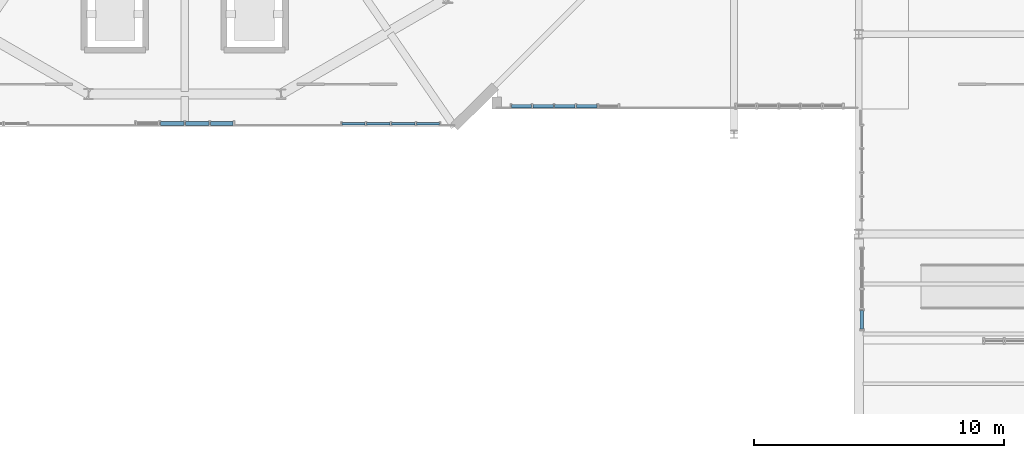
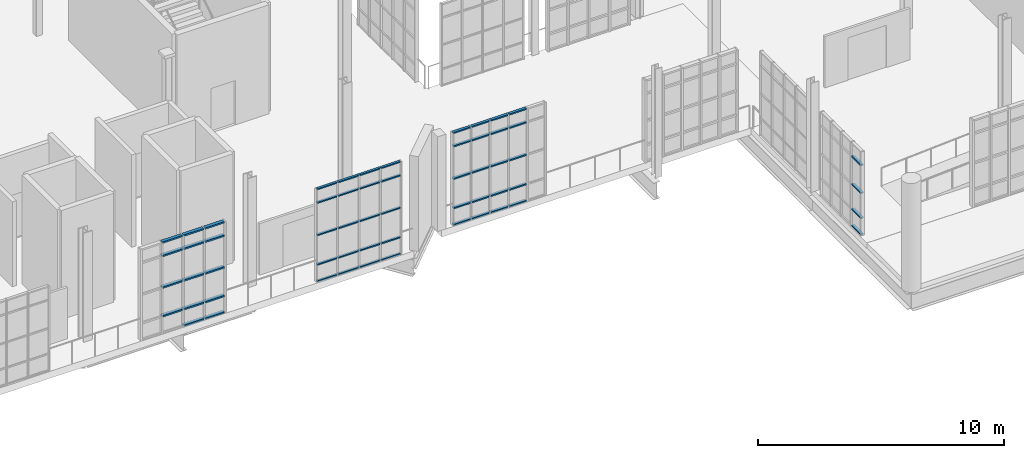
# One storey, part 120 of 189: 58 members, 4 elements without a shape of their own.
"""IFC4 building model written with IfcOpenShell, lengths in metres."""

from ifc_helpers import new_model, si_unit, direction, frame, origin, origin_2d, place, context, subcontext, project, spatial, hollow_rectangle, extrude, material, layer, layer_set, material_profile, profile_set, type_object, element, aggregate, save


model = new_model("IFC4")

# Units and contexts
model_context = context("Model", 3, precision=1e-05, world=origin(), true_north=direction((0.0, 1.0)))
body_context = subcontext(model_context, "Body", "Model", "MODEL_VIEW")
ifc_project = project(units=[si_unit("LENGTHUNIT", "METRE"), si_unit("AREAUNIT", "SQUARE_METRE"), si_unit("VOLUMEUNIT", "CUBIC_METRE"), si_unit("PLANEANGLEUNIT", "RADIAN"), si_unit("MASSUNIT", "GRAM", prefix="KILO"), si_unit("THERMODYNAMICTEMPERATUREUNIT", "KELVIN"), si_unit("POWERUNIT", "WATT")], contexts=[model_context])

# Site, building, storey
site_placement = place(None, origin())
site = spatial("IfcSite", under=ifc_project, at=site_placement, CompositionType="ELEMENT")
building_placement = place(site_placement, origin())
building = spatial("IfcBuilding", under=site, at=building_placement, Name="Zelmaris Science Centre", CompositionType="ELEMENT")
storey_placement = place(building_placement, origin())
storey = spatial("IfcBuildingStorey", under=building, at=storey_placement, Name="L00", CompositionType="ELEMENT", Elevation=0.0)

# Curtain wall, members
ifc_material = material(Name="Anodised architectural aluminium 6063-T6", Category="aluminium")
ifc_layer_1 = layer(ifc_material, 0.219970703125, Name="Anodised architectural aluminium 6063-T6")
ifc_layer_set_1 = layer_set([ifc_layer_1], Name="Anodised architectural aluminium 6063-T6")
curtain_wall_type_1 = type_object("IfcCurtainWallType", Name="Curtain Wall CW-04", PredefinedType="USERDEFINED", material=ifc_layer_set_1)
curtain_wall_1_placement = place(storey_placement, origin())
curtain_wall_1 = element("IfcCurtainWall", 1, at=curtain_wall_1_placement, inside=storey, type_object=curtain_wall_type_1, Name="L00 Unitised curtain wall 116", ObjectType="GLAZED CURTAIN WALL", PredefinedType="USERDEFINED")
ifc_material_profile_1 = material_profile(ifc_material, hollow_rectangle(XDim=0.06005859375, YDim=0.110107421875, WallThickness=0.0029296875, at=origin_2d()), Name="ALU-TRN-60X110")
ifc_profile_set_1 = profile_set([ifc_material_profile_1], Name="Anodised architectural aluminium 6063-T6")
member_type_1 = type_object("IfcMemberType", Name="ALU-TRN-60X110", PredefinedType="USERDEFINED", material=ifc_profile_set_1)
member_1_placement = place(storey_placement, frame((91.2080078125, 20.420166015625, 0.010986328125), z_axis=(-1.0, 0.0, 0.0), x_axis=(0.0, 0.0, 1.0)))
member_1 = element("IfcMember", 2, at=member_1_placement, type_object=member_type_1, Name="CW-04 transom 1.1", ObjectType="TRANSOM", PredefinedType="USERDEFINED", context=body_context, shape_type="SweptSolid", body=[
    extrude(hollow_rectangle(XDim=0.06005859375, YDim=0.110107421875, WallThickness=0.0029296875, at=origin_2d()), origin(), (0.0, 0.0, 1.0), 0.923828125),
])
member_2_placement = place(storey_placement, frame((91.2080078125, 20.420166015625, 0.8349609375), z_axis=(-1.0, 0.0, 0.0), x_axis=(0.0, 0.0, 1.0)))
member_2 = element("IfcMember", 3, at=member_2_placement, type_object=member_type_1, Name="CW-04 transom 1.2", ObjectType="TRANSOM", PredefinedType="USERDEFINED", context=body_context, shape_type="SweptSolid", body=[
    extrude(hollow_rectangle(XDim=0.06005859375, YDim=0.110107421875, WallThickness=0.0029296875, at=origin_2d()), origin(), (0.0, 0.0, 1.0), 0.923828125),
])
member_3_placement = place(storey_placement, frame((91.2080078125, 20.420166015625, 2.29248046875), z_axis=(-1.0, 0.0, 0.0), x_axis=(0.0, 0.0, 1.0)))
member_3 = element("IfcMember", 4, at=member_3_placement, type_object=member_type_1, Name="CW-04 transom 1.3", ObjectType="TRANSOM", PredefinedType="USERDEFINED", context=body_context, shape_type="SweptSolid", body=[
    extrude(hollow_rectangle(XDim=0.06005859375, YDim=0.110107421875, WallThickness=0.0029296875, at=origin_2d()), origin(), (0.0, 0.0, 1.0), 0.923828125),
])
member_4_placement = place(storey_placement, frame((91.2080078125, 20.420166015625, 3.89990234375), z_axis=(-1.0, 0.0, 0.0), x_axis=(0.0, 0.0, 1.0)))
member_4 = element("IfcMember", 5, at=member_4_placement, type_object=member_type_1, Name="CW-04 transom 1.4", ObjectType="TRANSOM", PredefinedType="USERDEFINED", context=body_context, shape_type="SweptSolid", body=[
    extrude(hollow_rectangle(XDim=0.06005859375, YDim=0.110107421875, WallThickness=0.0029296875, at=origin_2d()), origin(), (0.0, 0.0, 1.0), 0.923828125),
])
member_5_placement = place(storey_placement, frame((91.2080078125, 20.420166015625, 4.573974609375), z_axis=(-1.0, 0.0, 0.0), x_axis=(0.0, 0.0, 1.0)))
member_5 = element("IfcMember", 6, at=member_5_placement, type_object=member_type_1, Name="CW-04 transom 1.5", ObjectType="TRANSOM", PredefinedType="USERDEFINED", context=body_context, shape_type="SweptSolid", body=[
    extrude(hollow_rectangle(XDim=0.06005859375, YDim=0.110107421875, WallThickness=0.0029296875, at=origin_2d()), origin(), (0.0, 0.0, 1.0), 0.923828125),
])
member_6_placement = place(storey_placement, frame((90.232177734375, 20.420166015625, 0.010986328125), z_axis=(-1.0, 0.0, 0.0), x_axis=(0.0, 0.0, 1.0)))
member_6 = element("IfcMember", 7, at=member_6_placement, type_object=member_type_1, Name="CW-04 transom 2.1", ObjectType="TRANSOM", PredefinedType="USERDEFINED", context=body_context, shape_type="SweptSolid", body=[
    extrude(hollow_rectangle(XDim=0.06005859375, YDim=0.110107421875, WallThickness=0.0029296875, at=origin_2d()), origin(), (0.0, 0.0, 1.0), 0.949951171875),
])
member_7_placement = place(storey_placement, frame((90.232177734375, 20.420166015625, 0.8349609375), z_axis=(-1.0, 0.0, 0.0), x_axis=(0.0, 0.0, 1.0)))
member_7 = element("IfcMember", 8, at=member_7_placement, type_object=member_type_1, Name="CW-04 transom 2.2", ObjectType="TRANSOM", PredefinedType="USERDEFINED", context=body_context, shape_type="SweptSolid", body=[
    extrude(hollow_rectangle(XDim=0.06005859375, YDim=0.110107421875, WallThickness=0.0029296875, at=origin_2d()), origin(), (0.0, 0.0, 1.0), 0.949951171875),
])
member_8_placement = place(storey_placement, frame((90.232177734375, 20.420166015625, 2.29248046875), z_axis=(-1.0, 0.0, 0.0), x_axis=(0.0, 0.0, 1.0)))
member_8 = element("IfcMember", 9, at=member_8_placement, type_object=member_type_1, Name="CW-04 transom 2.3", ObjectType="TRANSOM", PredefinedType="USERDEFINED", context=body_context, shape_type="SweptSolid", body=[
    extrude(hollow_rectangle(XDim=0.06005859375, YDim=0.110107421875, WallThickness=0.0029296875, at=origin_2d()), origin(), (0.0, 0.0, 1.0), 0.949951171875),
])
member_9_placement = place(storey_placement, frame((90.232177734375, 20.420166015625, 3.89990234375), z_axis=(-1.0, 0.0, 0.0), x_axis=(0.0, 0.0, 1.0)))
member_9 = element("IfcMember", 10, at=member_9_placement, type_object=member_type_1, Name="CW-04 transom 2.4", ObjectType="TRANSOM", PredefinedType="USERDEFINED", context=body_context, shape_type="SweptSolid", body=[
    extrude(hollow_rectangle(XDim=0.06005859375, YDim=0.110107421875, WallThickness=0.0029296875, at=origin_2d()), origin(), (0.0, 0.0, 1.0), 0.949951171875),
])
member_10_placement = place(storey_placement, frame((90.232177734375, 20.420166015625, 4.573974609375), z_axis=(-1.0, 0.0, 0.0), x_axis=(0.0, 0.0, 1.0)))
member_10 = element("IfcMember", 11, at=member_10_placement, type_object=member_type_1, Name="CW-04 transom 2.5", ObjectType="TRANSOM", PredefinedType="USERDEFINED", context=body_context, shape_type="SweptSolid", body=[
    extrude(hollow_rectangle(XDim=0.06005859375, YDim=0.110107421875, WallThickness=0.0029296875, at=origin_2d()), origin(), (0.0, 0.0, 1.0), 0.949951171875),
])
member_11_placement = place(storey_placement, frame((89.230224609375, 20.420166015625, 0.010986328125), z_axis=(-1.0, 0.0, 0.0), x_axis=(0.0, 0.0, 1.0)))
member_11 = element("IfcMember", 12, at=member_11_placement, type_object=member_type_1, Name="CW-04 transom 3.1", ObjectType="TRANSOM", PredefinedType="USERDEFINED", context=body_context, shape_type="SweptSolid", body=[
    extrude(hollow_rectangle(XDim=0.06005859375, YDim=0.110107421875, WallThickness=0.0029296875, at=origin_2d()), origin(), (0.0, 0.0, 1.0), 0.949951171875),
])
member_12_placement = place(storey_placement, frame((89.230224609375, 20.420166015625, 0.8349609375), z_axis=(-1.0, 0.0, 0.0), x_axis=(0.0, 0.0, 1.0)))
member_12 = element("IfcMember", 13, at=member_12_placement, type_object=member_type_1, Name="CW-04 transom 3.2", ObjectType="TRANSOM", PredefinedType="USERDEFINED", context=body_context, shape_type="SweptSolid", body=[
    extrude(hollow_rectangle(XDim=0.06005859375, YDim=0.110107421875, WallThickness=0.0029296875, at=origin_2d()), origin(), (0.0, 0.0, 1.0), 0.949951171875),
])
member_13_placement = place(storey_placement, frame((89.230224609375, 20.420166015625, 2.29248046875), z_axis=(-1.0, 0.0, 0.0), x_axis=(0.0, 0.0, 1.0)))
member_13 = element("IfcMember", 14, at=member_13_placement, type_object=member_type_1, Name="CW-04 transom 3.3", ObjectType="TRANSOM", PredefinedType="USERDEFINED", context=body_context, shape_type="SweptSolid", body=[
    extrude(hollow_rectangle(XDim=0.06005859375, YDim=0.110107421875, WallThickness=0.0029296875, at=origin_2d()), origin(), (0.0, 0.0, 1.0), 0.949951171875),
])
member_14_placement = place(storey_placement, frame((89.230224609375, 20.420166015625, 3.89990234375), z_axis=(-1.0, 0.0, 0.0), x_axis=(0.0, 0.0, 1.0)))
member_14 = element("IfcMember", 15, at=member_14_placement, type_object=member_type_1, Name="CW-04 transom 3.4", ObjectType="TRANSOM", PredefinedType="USERDEFINED", context=body_context, shape_type="SweptSolid", body=[
    extrude(hollow_rectangle(XDim=0.06005859375, YDim=0.110107421875, WallThickness=0.0029296875, at=origin_2d()), origin(), (0.0, 0.0, 1.0), 0.949951171875),
])
member_15_placement = place(storey_placement, frame((89.230224609375, 20.420166015625, 4.573974609375), z_axis=(-1.0, 0.0, 0.0), x_axis=(0.0, 0.0, 1.0)))
member_15 = element("IfcMember", 16, at=member_15_placement, type_object=member_type_1, Name="CW-04 transom 3.5", ObjectType="TRANSOM", PredefinedType="USERDEFINED", context=body_context, shape_type="SweptSolid", body=[
    extrude(hollow_rectangle(XDim=0.06005859375, YDim=0.110107421875, WallThickness=0.0029296875, at=origin_2d()), origin(), (0.0, 0.0, 1.0), 0.949951171875),
])
member_16_placement = place(storey_placement, frame((88.228271484375, 20.420166015625, 0.010986328125), z_axis=(-1.0, 0.0, 0.0), x_axis=(0.0, 0.0, 1.0)))
member_16 = element("IfcMember", 17, at=member_16_placement, type_object=member_type_1, Name="CW-04 transom 4.1", ObjectType="TRANSOM", PredefinedType="USERDEFINED", context=body_context, shape_type="SweptSolid", body=[
    extrude(hollow_rectangle(XDim=0.06005859375, YDim=0.110107421875, WallThickness=0.0029296875, at=origin_2d()), origin(), (0.0, 0.0, 1.0), 0.924072265625),
])
member_17_placement = place(storey_placement, frame((88.228271484375, 20.420166015625, 0.8349609375), z_axis=(-1.0, 0.0, 0.0), x_axis=(0.0, 0.0, 1.0)))
member_17 = element("IfcMember", 18, at=member_17_placement, type_object=member_type_1, Name="CW-04 transom 4.2", ObjectType="TRANSOM", PredefinedType="USERDEFINED", context=body_context, shape_type="SweptSolid", body=[
    extrude(hollow_rectangle(XDim=0.06005859375, YDim=0.110107421875, WallThickness=0.0029296875, at=origin_2d()), origin(), (0.0, 0.0, 1.0), 0.924072265625),
])
member_18_placement = place(storey_placement, frame((88.228271484375, 20.420166015625, 2.29248046875), z_axis=(-1.0, 0.0, 0.0), x_axis=(0.0, 0.0, 1.0)))
member_18 = element("IfcMember", 19, at=member_18_placement, type_object=member_type_1, Name="CW-04 transom 4.3", ObjectType="TRANSOM", PredefinedType="USERDEFINED", context=body_context, shape_type="SweptSolid", body=[
    extrude(hollow_rectangle(XDim=0.06005859375, YDim=0.110107421875, WallThickness=0.0029296875, at=origin_2d()), origin(), (0.0, 0.0, 1.0), 0.924072265625),
])
member_19_placement = place(storey_placement, frame((88.228271484375, 20.420166015625, 3.89990234375), z_axis=(-1.0, 0.0, 0.0), x_axis=(0.0, 0.0, 1.0)))
member_19 = element("IfcMember", 20, at=member_19_placement, type_object=member_type_1, Name="CW-04 transom 4.4", ObjectType="TRANSOM", PredefinedType="USERDEFINED", context=body_context, shape_type="SweptSolid", body=[
    extrude(hollow_rectangle(XDim=0.06005859375, YDim=0.110107421875, WallThickness=0.0029296875, at=origin_2d()), origin(), (0.0, 0.0, 1.0), 0.924072265625),
])
member_20_placement = place(storey_placement, frame((88.228271484375, 20.420166015625, 4.573974609375), z_axis=(-1.0, 0.0, 0.0), x_axis=(0.0, 0.0, 1.0)))
member_20 = element("IfcMember", 21, at=member_20_placement, type_object=member_type_1, Name="CW-04 transom 4.5", ObjectType="TRANSOM", PredefinedType="USERDEFINED", context=body_context, shape_type="SweptSolid", body=[
    extrude(hollow_rectangle(XDim=0.06005859375, YDim=0.110107421875, WallThickness=0.0029296875, at=origin_2d()), origin(), (0.0, 0.0, 1.0), 0.924072265625),
])
aggregate(curtain_wall_1, [member_1, member_2, member_3, member_4, member_5, member_6, member_7, member_8, member_9, member_10, member_11, member_12, member_13, member_14, member_15, member_16, member_17, member_18, member_19, member_20])

ifc_layer_2 = layer(ifc_material, 0.2099609375, Name="Anodised architectural aluminium 6063-T6")
ifc_layer_set_2 = layer_set([ifc_layer_2], Name="Anodised architectural aluminium 6063-T6")
curtain_wall_type_2 = type_object("IfcCurtainWallType", Name="Curtain Wall CW-03", PredefinedType="USERDEFINED", material=ifc_layer_set_2)
curtain_wall_2_placement = place(storey_placement, origin())
curtain_wall_2 = element("IfcCurtainWall", 22, at=curtain_wall_2_placement, inside=storey, type_object=curtain_wall_type_2, Name="L00 Unitised curtain wall 111", ObjectType="GLAZED CURTAIN WALL", PredefinedType="USERDEFINED")
ifc_material_profile_2 = material_profile(ifc_material, hollow_rectangle(XDim=0.06494140625, YDim=0.1298828125, WallThickness=0.00341796875, at=origin_2d()), Name="ALU-TRN-65X130")
ifc_profile_set_2 = profile_set([ifc_material_profile_2], Name="Anodised architectural aluminium 6063-T6")
member_type_2 = type_object("IfcMemberType", Name="ALU-TRN-65X130", PredefinedType="USERDEFINED", material=ifc_profile_set_2)
member_21_placement = place(storey_placement, frame((108.1201171875, 12.197021484375, 0.013427734375), z_axis=(0.0, 1.0, 0.0), x_axis=(0.0, 0.0, 1.0)))
member_21 = element("IfcMember", 23, at=member_21_placement, type_object=member_type_2, Name="CW-03 transom 1.1", ObjectType="TRANSOM", PredefinedType="USERDEFINED", context=body_context, shape_type="SweptSolid", body=[
    extrude(hollow_rectangle(XDim=0.06494140625, YDim=0.1298828125, WallThickness=0.00341796875, at=origin_2d()), origin(), (0.0, 0.0, 1.0), 0.74462890625),
])
member_22_placement = place(storey_placement, frame((108.1201171875, 12.197021484375, 0.8349609375), z_axis=(0.0, 1.0, 0.0), x_axis=(0.0, 0.0, 1.0)))
member_22 = element("IfcMember", 24, at=member_22_placement, type_object=member_type_2, Name="CW-03 transom 1.2", ObjectType="TRANSOM", PredefinedType="USERDEFINED", context=body_context, shape_type="SweptSolid", body=[
    extrude(hollow_rectangle(XDim=0.06494140625, YDim=0.1298828125, WallThickness=0.00341796875, at=origin_2d()), origin(), (0.0, 0.0, 1.0), 0.74462890625),
])
member_23_placement = place(storey_placement, frame((108.1201171875, 12.197021484375, 2.069091796875), z_axis=(0.0, 1.0, 0.0), x_axis=(0.0, 0.0, 1.0)))
member_23 = element("IfcMember", 25, at=member_23_placement, type_object=member_type_2, Name="CW-03 transom 1.3", ObjectType="TRANSOM", PredefinedType="USERDEFINED", context=body_context, shape_type="SweptSolid", body=[
    extrude(hollow_rectangle(XDim=0.06494140625, YDim=0.1298828125, WallThickness=0.00341796875, at=origin_2d()), origin(), (0.0, 0.0, 1.0), 0.74462890625),
])
member_24_placement = place(storey_placement, frame((108.1201171875, 12.197021484375, 3.452880859375), z_axis=(0.0, 1.0, 0.0), x_axis=(0.0, 0.0, 1.0)))
member_24 = element("IfcMember", 26, at=member_24_placement, type_object=member_type_2, Name="CW-03 transom 1.4", ObjectType="TRANSOM", PredefinedType="USERDEFINED", context=body_context, shape_type="SweptSolid", body=[
    extrude(hollow_rectangle(XDim=0.06494140625, YDim=0.1298828125, WallThickness=0.00341796875, at=origin_2d()), origin(), (0.0, 0.0, 1.0), 0.74462890625),
])
aggregate(curtain_wall_2, [member_21, member_22, member_23, member_24])

curtain_wall_3_placement = place(storey_placement, origin())
curtain_wall_3 = element("IfcCurtainWall", 27, at=curtain_wall_3_placement, inside=storey, type_object=curtain_wall_type_2, Name="L00 Unitised curtain wall 115", ObjectType="GLAZED CURTAIN WALL", PredefinedType="USERDEFINED")
member_25_placement = place(storey_placement, frame((97.513427734375, 21.119873046875, 0.013427734375), z_axis=(-1.0, 0.0, 0.0), x_axis=(0.0, 0.0, 1.0)))
member_25 = element("IfcMember", 28, at=member_25_placement, type_object=member_type_2, Name="CW-03 transom 2.1", ObjectType="TRANSOM", PredefinedType="USERDEFINED", context=body_context, shape_type="SweptSolid", body=[
    extrude(hollow_rectangle(XDim=0.06494140625, YDim=0.1298828125, WallThickness=0.00341796875, at=origin_2d()), origin(), (0.0, 0.0, 1.0), 0.818603515625),
])
member_26_placement = place(storey_placement, frame((97.513427734375, 21.119873046875, 0.8349609375), z_axis=(-1.0, 0.0, 0.0), x_axis=(0.0, 0.0, 1.0)))
member_26 = element("IfcMember", 29, at=member_26_placement, type_object=member_type_2, Name="CW-03 transom 2.2", ObjectType="TRANSOM", PredefinedType="USERDEFINED", context=body_context, shape_type="SweptSolid", body=[
    extrude(hollow_rectangle(XDim=0.06494140625, YDim=0.1298828125, WallThickness=0.00341796875, at=origin_2d()), origin(), (0.0, 0.0, 1.0), 0.818603515625),
])
member_27_placement = place(storey_placement, frame((97.513427734375, 21.119873046875, 2.29248046875), z_axis=(-1.0, 0.0, 0.0), x_axis=(0.0, 0.0, 1.0)))
member_27 = element("IfcMember", 30, at=member_27_placement, type_object=member_type_2, Name="CW-03 transom 2.3", ObjectType="TRANSOM", PredefinedType="USERDEFINED", context=body_context, shape_type="SweptSolid", body=[
    extrude(hollow_rectangle(XDim=0.06494140625, YDim=0.1298828125, WallThickness=0.00341796875, at=origin_2d()), origin(), (0.0, 0.0, 1.0), 0.818603515625),
])
member_28_placement = place(storey_placement, frame((97.513427734375, 21.119873046875, 3.89990234375), z_axis=(-1.0, 0.0, 0.0), x_axis=(0.0, 0.0, 1.0)))
member_28 = element("IfcMember", 31, at=member_28_placement, type_object=member_type_2, Name="CW-03 transom 2.4", ObjectType="TRANSOM", PredefinedType="USERDEFINED", context=body_context, shape_type="SweptSolid", body=[
    extrude(hollow_rectangle(XDim=0.06494140625, YDim=0.1298828125, WallThickness=0.00341796875, at=origin_2d()), origin(), (0.0, 0.0, 1.0), 0.818603515625),
])
member_29_placement = place(storey_placement, frame((97.513427734375, 21.119873046875, 4.571533203125), z_axis=(-1.0, 0.0, 0.0), x_axis=(0.0, 0.0, 1.0)))
member_29 = element("IfcMember", 32, at=member_29_placement, type_object=member_type_2, Name="CW-03 transom 2.5", ObjectType="TRANSOM", PredefinedType="USERDEFINED", context=body_context, shape_type="SweptSolid", body=[
    extrude(hollow_rectangle(XDim=0.06494140625, YDim=0.1298828125, WallThickness=0.00341796875, at=origin_2d()), origin(), (0.0, 0.0, 1.0), 0.818603515625),
])
member_30_placement = place(storey_placement, frame((96.637939453125, 21.119873046875, 0.013427734375), z_axis=(-1.0, 0.0, 0.0), x_axis=(0.0, 0.0, 1.0)))
member_30 = element("IfcMember", 33, at=member_30_placement, type_object=member_type_2, Name="CW-03 transom 3.1", ObjectType="TRANSOM", PredefinedType="USERDEFINED", context=body_context, shape_type="SweptSolid", body=[
    extrude(hollow_rectangle(XDim=0.06494140625, YDim=0.1298828125, WallThickness=0.00341796875, at=origin_2d()), origin(), (0.0, 0.0, 1.0), 0.818359375),
])
member_31_placement = place(storey_placement, frame((96.637939453125, 21.119873046875, 0.8349609375), z_axis=(-1.0, 0.0, 0.0), x_axis=(0.0, 0.0, 1.0)))
member_31 = element("IfcMember", 34, at=member_31_placement, type_object=member_type_2, Name="CW-03 transom 3.2", ObjectType="TRANSOM", PredefinedType="USERDEFINED", context=body_context, shape_type="SweptSolid", body=[
    extrude(hollow_rectangle(XDim=0.06494140625, YDim=0.1298828125, WallThickness=0.00341796875, at=origin_2d()), origin(), (0.0, 0.0, 1.0), 0.818359375),
])
member_32_placement = place(storey_placement, frame((96.637939453125, 21.119873046875, 2.29248046875), z_axis=(-1.0, 0.0, 0.0), x_axis=(0.0, 0.0, 1.0)))
member_32 = element("IfcMember", 35, at=member_32_placement, type_object=member_type_2, Name="CW-03 transom 3.3", ObjectType="TRANSOM", PredefinedType="USERDEFINED", context=body_context, shape_type="SweptSolid", body=[
    extrude(hollow_rectangle(XDim=0.06494140625, YDim=0.1298828125, WallThickness=0.00341796875, at=origin_2d()), origin(), (0.0, 0.0, 1.0), 0.818359375),
])
member_33_placement = place(storey_placement, frame((96.637939453125, 21.119873046875, 3.89990234375), z_axis=(-1.0, 0.0, 0.0), x_axis=(0.0, 0.0, 1.0)))
member_33 = element("IfcMember", 36, at=member_33_placement, type_object=member_type_2, Name="CW-03 transom 3.4", ObjectType="TRANSOM", PredefinedType="USERDEFINED", context=body_context, shape_type="SweptSolid", body=[
    extrude(hollow_rectangle(XDim=0.06494140625, YDim=0.1298828125, WallThickness=0.00341796875, at=origin_2d()), origin(), (0.0, 0.0, 1.0), 0.818359375),
])
member_34_placement = place(storey_placement, frame((96.637939453125, 21.119873046875, 4.571533203125), z_axis=(-1.0, 0.0, 0.0), x_axis=(0.0, 0.0, 1.0)))
member_34 = element("IfcMember", 37, at=member_34_placement, type_object=member_type_2, Name="CW-03 transom 3.5", ObjectType="TRANSOM", PredefinedType="USERDEFINED", context=body_context, shape_type="SweptSolid", body=[
    extrude(hollow_rectangle(XDim=0.06494140625, YDim=0.1298828125, WallThickness=0.00341796875, at=origin_2d()), origin(), (0.0, 0.0, 1.0), 0.818359375),
])
member_35_placement = place(storey_placement, frame((95.762451171875, 21.119873046875, 0.013427734375), z_axis=(-1.0, 0.0, 0.0), x_axis=(0.0, 0.0, 1.0)))
member_35 = element("IfcMember", 38, at=member_35_placement, type_object=member_type_2, Name="CW-03 transom 4.1", ObjectType="TRANSOM", PredefinedType="USERDEFINED", context=body_context, shape_type="SweptSolid", body=[
    extrude(hollow_rectangle(XDim=0.06494140625, YDim=0.1298828125, WallThickness=0.00341796875, at=origin_2d()), origin(), (0.0, 0.0, 1.0), 0.818359375),
])
member_36_placement = place(storey_placement, frame((95.762451171875, 21.119873046875, 0.8349609375), z_axis=(-1.0, 0.0, 0.0), x_axis=(0.0, 0.0, 1.0)))
member_36 = element("IfcMember", 39, at=member_36_placement, type_object=member_type_2, Name="CW-03 transom 4.2", ObjectType="TRANSOM", PredefinedType="USERDEFINED", context=body_context, shape_type="SweptSolid", body=[
    extrude(hollow_rectangle(XDim=0.06494140625, YDim=0.1298828125, WallThickness=0.00341796875, at=origin_2d()), origin(), (0.0, 0.0, 1.0), 0.818359375),
])
member_37_placement = place(storey_placement, frame((95.762451171875, 21.119873046875, 2.29248046875), z_axis=(-1.0, 0.0, 0.0), x_axis=(0.0, 0.0, 1.0)))
member_37 = element("IfcMember", 40, at=member_37_placement, type_object=member_type_2, Name="CW-03 transom 4.3", ObjectType="TRANSOM", PredefinedType="USERDEFINED", context=body_context, shape_type="SweptSolid", body=[
    extrude(hollow_rectangle(XDim=0.06494140625, YDim=0.1298828125, WallThickness=0.00341796875, at=origin_2d()), origin(), (0.0, 0.0, 1.0), 0.818359375),
])
member_38_placement = place(storey_placement, frame((95.762451171875, 21.119873046875, 3.89990234375), z_axis=(-1.0, 0.0, 0.0), x_axis=(0.0, 0.0, 1.0)))
member_38 = element("IfcMember", 41, at=member_38_placement, type_object=member_type_2, Name="CW-03 transom 4.4", ObjectType="TRANSOM", PredefinedType="USERDEFINED", context=body_context, shape_type="SweptSolid", body=[
    extrude(hollow_rectangle(XDim=0.06494140625, YDim=0.1298828125, WallThickness=0.00341796875, at=origin_2d()), origin(), (0.0, 0.0, 1.0), 0.818359375),
])
member_39_placement = place(storey_placement, frame((95.762451171875, 21.119873046875, 4.571533203125), z_axis=(-1.0, 0.0, 0.0), x_axis=(0.0, 0.0, 1.0)))
member_39 = element("IfcMember", 42, at=member_39_placement, type_object=member_type_2, Name="CW-03 transom 4.5", ObjectType="TRANSOM", PredefinedType="USERDEFINED", context=body_context, shape_type="SweptSolid", body=[
    extrude(hollow_rectangle(XDim=0.06494140625, YDim=0.1298828125, WallThickness=0.00341796875, at=origin_2d()), origin(), (0.0, 0.0, 1.0), 0.818359375),
])
member_40_placement = place(storey_placement, frame((94.886962890625, 21.119873046875, 0.013427734375), z_axis=(-0.999999952223, 0.000309118996, 0.0), x_axis=(0.0, 0.0, 1.0)))
member_40 = element("IfcMember", 43, at=member_40_placement, type_object=member_type_2, Name="CW-03 transom 5.1", ObjectType="TRANSOM", PredefinedType="USERDEFINED", context=body_context, shape_type="SweptSolid", body=[
    extrude(hollow_rectangle(XDim=0.06494140625, YDim=0.1298828125, WallThickness=0.00341796875, at=origin_2d()), origin(), (0.0, 0.0, 1.0), 0.789794921875),
])
member_41_placement = place(storey_placement, frame((94.886962890625, 21.119873046875, 0.8349609375), z_axis=(-0.999999952223, 0.000309118996, 0.0), x_axis=(0.0, 0.0, 1.0)))
member_41 = element("IfcMember", 44, at=member_41_placement, type_object=member_type_2, Name="CW-03 transom 5.2", ObjectType="TRANSOM", PredefinedType="USERDEFINED", context=body_context, shape_type="SweptSolid", body=[
    extrude(hollow_rectangle(XDim=0.06494140625, YDim=0.1298828125, WallThickness=0.00341796875, at=origin_2d()), origin(), (0.0, 0.0, 1.0), 0.789794921875),
])
member_42_placement = place(storey_placement, frame((94.886962890625, 21.119873046875, 2.29248046875), z_axis=(-0.999999952223, 0.000309118996, 0.0), x_axis=(0.0, 0.0, 1.0)))
member_42 = element("IfcMember", 45, at=member_42_placement, type_object=member_type_2, Name="CW-03 transom 5.3", ObjectType="TRANSOM", PredefinedType="USERDEFINED", context=body_context, shape_type="SweptSolid", body=[
    extrude(hollow_rectangle(XDim=0.06494140625, YDim=0.1298828125, WallThickness=0.00341796875, at=origin_2d()), origin(), (0.0, 0.0, 1.0), 0.789794921875),
])
member_43_placement = place(storey_placement, frame((94.886962890625, 21.119873046875, 3.89990234375), z_axis=(-0.999999952223, 0.000309118996, 0.0), x_axis=(0.0, 0.0, 1.0)))
member_43 = element("IfcMember", 46, at=member_43_placement, type_object=member_type_2, Name="CW-03 transom 5.4", ObjectType="TRANSOM", PredefinedType="USERDEFINED", context=body_context, shape_type="SweptSolid", body=[
    extrude(hollow_rectangle(XDim=0.06494140625, YDim=0.1298828125, WallThickness=0.00341796875, at=origin_2d()), origin(), (0.0, 0.0, 1.0), 0.789794921875),
])
member_44_placement = place(storey_placement, frame((94.886962890625, 21.119873046875, 4.571533203125), z_axis=(-0.999999952223, 0.000309118996, 0.0), x_axis=(0.0, 0.0, 1.0)))
member_44 = element("IfcMember", 47, at=member_44_placement, type_object=member_type_2, Name="CW-03 transom 5.5", ObjectType="TRANSOM", PredefinedType="USERDEFINED", context=body_context, shape_type="SweptSolid", body=[
    extrude(hollow_rectangle(XDim=0.06494140625, YDim=0.1298828125, WallThickness=0.00341796875, at=origin_2d()), origin(), (0.0, 0.0, 1.0), 0.789794921875),
])
aggregate(curtain_wall_3, [member_25, member_26, member_27, member_28, member_29, member_30, member_31, member_32, member_33, member_34, member_35, member_36, member_37, member_38, member_39, member_40, member_41, member_42, member_43, member_44])

ifc_layer_3 = layer(ifc_material, 0.199951171875, Name="Anodised architectural aluminium 6063-T6")
ifc_layer_set_3 = layer_set([ifc_layer_3], Name="Anodised architectural aluminium 6063-T6")
curtain_wall_type_3 = type_object("IfcCurtainWallType", Name="Curtain Wall CW-02", PredefinedType="USERDEFINED", material=ifc_layer_set_3)
curtain_wall_4_placement = place(storey_placement, origin())
curtain_wall_4 = element("IfcCurtainWall", 48, at=curtain_wall_4_placement, inside=storey, type_object=curtain_wall_type_3, Name="L00 Unitised curtain wall 118", ObjectType="GLAZED CURTAIN WALL", PredefinedType="USERDEFINED")
ifc_material_profile_3 = material_profile(ifc_material, hollow_rectangle(XDim=0.074951171875, YDim=0.159912109375, WallThickness=0.00390625, at=origin_2d()), Name="ALU-TRN-75X160")
ifc_profile_set_3 = profile_set([ifc_material_profile_3], Name="Anodised architectural aluminium 6063-T6")
member_type_3 = type_object("IfcMemberType", Name="ALU-TRN-75X160", PredefinedType="USERDEFINED", material=ifc_profile_set_3)
member_45_placement = place(storey_placement, frame((82.9375, 20.419921875, 0.0185546875), z_axis=(-1.0, 0.0, 0.0), x_axis=(0.0, 0.0, 1.0)))
member_45 = element("IfcMember", 49, at=member_45_placement, type_object=member_type_3, Name="CW-02 transom 1.1", ObjectType="TRANSOM", PredefinedType="USERDEFINED", context=body_context, shape_type="SweptSolid", body=[
    extrude(hollow_rectangle(XDim=0.074951171875, YDim=0.159912109375, WallThickness=0.00390625, at=origin_2d()), origin(), (0.0, 0.0, 1.0), 0.9013671875),
])
member_46_placement = place(storey_placement, frame((82.9375, 20.419921875, 0.8349609375), z_axis=(-1.0, 0.0, 0.0), x_axis=(0.0, 0.0, 1.0)))
member_46 = element("IfcMember", 50, at=member_46_placement, type_object=member_type_3, Name="CW-02 transom 1.2", ObjectType="TRANSOM", PredefinedType="USERDEFINED", context=body_context, shape_type="SweptSolid", body=[
    extrude(hollow_rectangle(XDim=0.074951171875, YDim=0.159912109375, WallThickness=0.00390625, at=origin_2d()), origin(), (0.0, 0.0, 1.0), 0.9013671875),
])
member_47_placement = place(storey_placement, frame((82.9375, 20.419921875, 2.256103515625), z_axis=(-1.0, 0.0, 0.0), x_axis=(0.0, 0.0, 1.0)))
member_47 = element("IfcMember", 51, at=member_47_placement, type_object=member_type_3, Name="CW-02 transom 1.3", ObjectType="TRANSOM", PredefinedType="USERDEFINED", context=body_context, shape_type="SweptSolid", body=[
    extrude(hollow_rectangle(XDim=0.074951171875, YDim=0.159912109375, WallThickness=0.00390625, at=origin_2d()), origin(), (0.0, 0.0, 1.0), 0.9013671875),
])
member_48_placement = place(storey_placement, frame((82.9375, 20.419921875, 3.826904296875), z_axis=(-1.0, 0.0, 0.0), x_axis=(0.0, 0.0, 1.0)))
member_48 = element("IfcMember", 52, at=member_48_placement, type_object=member_type_3, Name="CW-02 transom 1.4", ObjectType="TRANSOM", PredefinedType="USERDEFINED", context=body_context, shape_type="SweptSolid", body=[
    extrude(hollow_rectangle(XDim=0.074951171875, YDim=0.159912109375, WallThickness=0.00390625, at=origin_2d()), origin(), (0.0, 0.0, 1.0), 0.9013671875),
])
member_49_placement = place(storey_placement, frame((82.9375, 20.419921875, 4.493408203125), z_axis=(-1.0, 0.0, 0.0), x_axis=(0.0, 0.0, 1.0)))
member_49 = element("IfcMember", 53, at=member_49_placement, type_object=member_type_3, Name="CW-02 transom 1.5", ObjectType="TRANSOM", PredefinedType="USERDEFINED", context=body_context, shape_type="SweptSolid", body=[
    extrude(hollow_rectangle(XDim=0.074951171875, YDim=0.159912109375, WallThickness=0.00390625, at=origin_2d()), origin(), (0.0, 0.0, 1.0), 0.9013671875),
])
member_50_placement = place(storey_placement, frame((81.96923828125, 20.419921875, 0.0185546875), z_axis=(-1.0, 0.0, 0.0), x_axis=(0.0, 0.0, 1.0)))
member_50 = element("IfcMember", 54, at=member_50_placement, type_object=member_type_3, Name="CW-02 transom 2.1", ObjectType="TRANSOM", PredefinedType="USERDEFINED", context=body_context, shape_type="SweptSolid", body=[
    extrude(hollow_rectangle(XDim=0.074951171875, YDim=0.159912109375, WallThickness=0.00390625, at=origin_2d()), origin(), (0.0, 0.0, 1.0), 0.93505859375),
])
member_51_placement = place(storey_placement, frame((81.96923828125, 20.419921875, 0.8349609375), z_axis=(-1.0, 0.0, 0.0), x_axis=(0.0, 0.0, 1.0)))
member_51 = element("IfcMember", 55, at=member_51_placement, type_object=member_type_3, Name="CW-02 transom 2.2", ObjectType="TRANSOM", PredefinedType="USERDEFINED", context=body_context, shape_type="SweptSolid", body=[
    extrude(hollow_rectangle(XDim=0.074951171875, YDim=0.159912109375, WallThickness=0.00390625, at=origin_2d()), origin(), (0.0, 0.0, 1.0), 0.93505859375),
])
member_52_placement = place(storey_placement, frame((81.96923828125, 20.419921875, 2.256103515625), z_axis=(-1.0, 0.0, 0.0), x_axis=(0.0, 0.0, 1.0)))
member_52 = element("IfcMember", 56, at=member_52_placement, type_object=member_type_3, Name="CW-02 transom 2.3", ObjectType="TRANSOM", PredefinedType="USERDEFINED", context=body_context, shape_type="SweptSolid", body=[
    extrude(hollow_rectangle(XDim=0.074951171875, YDim=0.159912109375, WallThickness=0.00390625, at=origin_2d()), origin(), (0.0, 0.0, 1.0), 0.93505859375),
])
member_53_placement = place(storey_placement, frame((81.96923828125, 20.419921875, 3.826904296875), z_axis=(-1.0, 0.0, 0.0), x_axis=(0.0, 0.0, 1.0)))
member_53 = element("IfcMember", 57, at=member_53_placement, type_object=member_type_3, Name="CW-02 transom 2.4", ObjectType="TRANSOM", PredefinedType="USERDEFINED", context=body_context, shape_type="SweptSolid", body=[
    extrude(hollow_rectangle(XDim=0.074951171875, YDim=0.159912109375, WallThickness=0.00390625, at=origin_2d()), origin(), (0.0, 0.0, 1.0), 0.93505859375),
])
member_54_placement = place(storey_placement, frame((81.96923828125, 20.419921875, 4.493408203125), z_axis=(-1.0, 0.0, 0.0), x_axis=(0.0, 0.0, 1.0)))
member_54 = element("IfcMember", 58, at=member_54_placement, type_object=member_type_3, Name="CW-02 transom 2.5", ObjectType="TRANSOM", PredefinedType="USERDEFINED", context=body_context, shape_type="SweptSolid", body=[
    extrude(hollow_rectangle(XDim=0.074951171875, YDim=0.159912109375, WallThickness=0.00390625, at=origin_2d()), origin(), (0.0, 0.0, 1.0), 0.93505859375),
])
member_55_placement = place(storey_placement, frame((80.96728515625, 20.419921875, 0.8349609375), z_axis=(-1.0, 0.0, 0.0), x_axis=(0.0, 0.0, 1.0)))
member_55 = element("IfcMember", 59, at=member_55_placement, type_object=member_type_3, Name="CW-02 transom 3.2", ObjectType="TRANSOM", PredefinedType="USERDEFINED", context=body_context, shape_type="SweptSolid", body=[
    extrude(hollow_rectangle(XDim=0.074951171875, YDim=0.159912109375, WallThickness=0.00390625, at=origin_2d()), origin(), (0.0, 0.0, 1.0), 0.93505859375),
])
member_56_placement = place(storey_placement, frame((80.96728515625, 20.419921875, 2.256103515625), z_axis=(-1.0, 0.0, 0.0), x_axis=(0.0, 0.0, 1.0)))
member_56 = element("IfcMember", 60, at=member_56_placement, type_object=member_type_3, Name="CW-02 transom 3.3", ObjectType="TRANSOM", PredefinedType="USERDEFINED", context=body_context, shape_type="SweptSolid", body=[
    extrude(hollow_rectangle(XDim=0.074951171875, YDim=0.159912109375, WallThickness=0.00390625, at=origin_2d()), origin(), (0.0, 0.0, 1.0), 0.93505859375),
])
member_57_placement = place(storey_placement, frame((80.96728515625, 20.419921875, 3.826904296875), z_axis=(-1.0, 0.0, 0.0), x_axis=(0.0, 0.0, 1.0)))
member_57 = element("IfcMember", 61, at=member_57_placement, type_object=member_type_3, Name="CW-02 transom 3.4", ObjectType="TRANSOM", PredefinedType="USERDEFINED", context=body_context, shape_type="SweptSolid", body=[
    extrude(hollow_rectangle(XDim=0.074951171875, YDim=0.159912109375, WallThickness=0.00390625, at=origin_2d()), origin(), (0.0, 0.0, 1.0), 0.93505859375),
])
member_58_placement = place(storey_placement, frame((80.96728515625, 20.419921875, 4.493408203125), z_axis=(-1.0, 0.0, 0.0), x_axis=(0.0, 0.0, 1.0)))
member_58 = element("IfcMember", 62, at=member_58_placement, type_object=member_type_3, Name="CW-02 transom 3.5", ObjectType="TRANSOM", PredefinedType="USERDEFINED", context=body_context, shape_type="SweptSolid", body=[
    extrude(hollow_rectangle(XDim=0.074951171875, YDim=0.159912109375, WallThickness=0.00390625, at=origin_2d()), origin(), (0.0, 0.0, 1.0), 0.93505859375),
])
aggregate(curtain_wall_4, [member_45, member_46, member_47, member_48, member_49, member_50, member_51, member_52, member_53, member_54, member_55, member_56, member_57, member_58])

save(model, "model.ifc")
